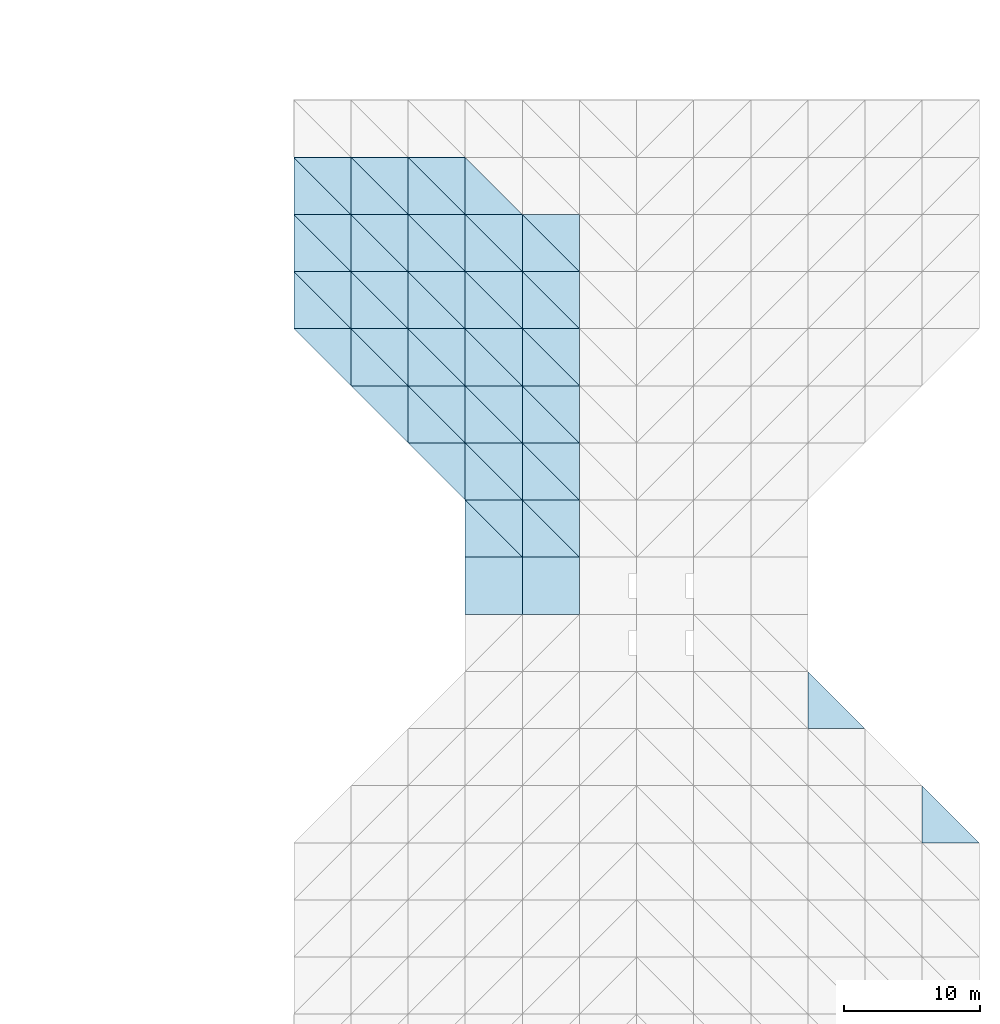
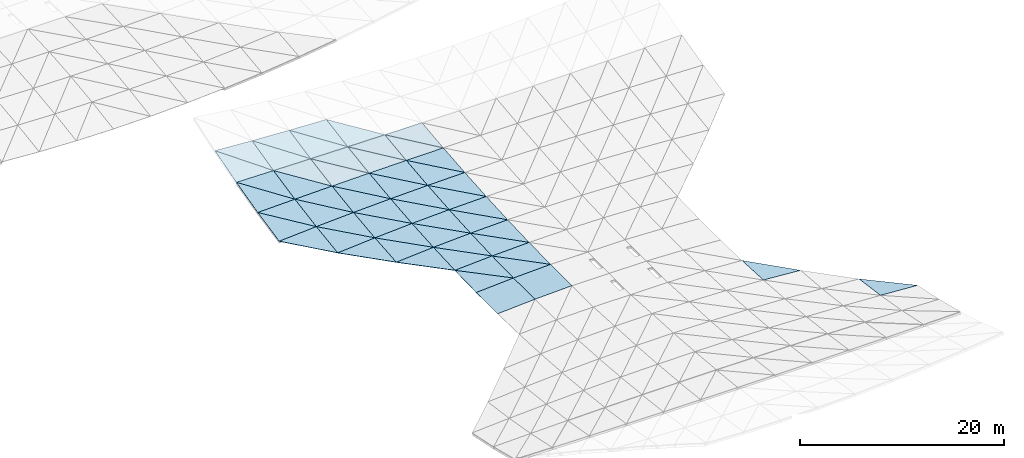
# One storey, part 47 of 64: 56 roofs.
"""IFC4 building model written with IfcOpenShell, lengths in metres."""

from ifc_helpers import new_model, si_unit, direction, frame, origin, place, context, subcontext, project, spatial, polyline, outline, extrude, material, layer, layer_set, type_object, element, save


model = new_model("IFC4")

# Units and contexts
model_context = context("Model", 3, precision=1e-05, world=origin(), true_north=direction((0.0, 1.0)))
body_context = subcontext(model_context, "Body", "Model", "MODEL_VIEW")
ifc_project = project(units=[si_unit("LENGTHUNIT", "METRE"), si_unit("AREAUNIT", "SQUARE_METRE"), si_unit("VOLUMEUNIT", "CUBIC_METRE"), si_unit("PLANEANGLEUNIT", "RADIAN"), si_unit("MASSUNIT", "GRAM", prefix="KILO")], contexts=[model_context])

# Site, building, storey
site_placement = place(None, origin())
site = spatial("IfcSite", under=ifc_project, at=site_placement, CompositionType="ELEMENT")
building_placement = place(site_placement, origin())
building = spatial("IfcBuilding", under=site, at=building_placement, Name="Cumbredor Promenade Congress Hotel", CompositionType="ELEMENT")
storey_placement = place(building_placement, frame((0.0, 0.0, 18.47998046875)))
storey = spatial("IfcBuildingStorey", under=building, at=storey_placement, Name="L05", CompositionType="ELEMENT", Elevation=18.47998046875)

# Roofs
ifc_material = material(Name="Standing-seam zinc-aluminium roofing", Category="aluminium")
ifc_layer = layer(ifc_material, 0.050048828125, Name="Standing-seam zinc-aluminium roofing", Category="aluminium")
ifc_layer_set = layer_set([ifc_layer], Name="Standing-seam zinc-aluminium roofing")
roof_type = type_object("IfcRoofType", Name="Sweeping Pavilion Standing-Seam Roof Skin 50mm", PredefinedType="FREEFORM", material=ifc_layer_set)
roof_1_placement = place(storey_placement, frame((142.800048828125, 50.39990234375, -0.15087890625), z_axis=(-0.064058778521, -0.138106145574, 0.988343647447), x_axis=(0.0, 0.990377757335, 0.138390381808)))
element("IfcRoof", 1, at=roof_1_placement, inside=storey, type_object=roof_type, Name="Grand Ballroom Pavilion Standing-Seam Roof Skin 1.13.2", PredefinedType="FREEFORM", context=body_context, shape_type="SweptSolid", body=[
    extrude(outline(polyline([(0.0, 0.0), (4.241003275158748, 6.938893903907228e-18), (4.203331088704551, 4.208595090645193), (0.0, 0.0)])), origin(), (0.0, 0.0, -1.0), 0.050048828125),
])
roof_2_placement = place(storey_placement, frame((138.60009765625, 54.60009765625, 0.163818359375), z_axis=(-0.063292145756, -0.205940721797, 0.976515500845), x_axis=(0.997906149499, 0.0, 0.064678565174)))
element("IfcRoof", 2, at=roof_2_placement, inside=storey, type_object=roof_type, Name="Grand Ballroom Pavilion Standing-Seam Roof Skin 1.14.1", PredefinedType="FREEFORM", context=body_context, shape_type="SweptSolid", body=[
    extrude(outline(polyline([(0.0, 0.0), (4.208763693845863, -6.938893903907228e-18), (0.05728853380171169, 4.291951431778594), (0.0, 0.0)])), origin(), (0.0, 0.0, -1.0), 0.050048828125),
])
roof_3_placement = place(storey_placement, frame((142.800048828125, 54.60009765625, 0.43603515625), z_axis=(-0.028161900128, -0.172005101393, 0.984693430706), x_axis=(0.0, 0.985084139669, 0.17207334998)))
element("IfcRoof", 3, at=roof_3_placement, inside=storey, type_object=roof_type, Name="Grand Ballroom Pavilion Standing-Seam Roof Skin 1.14.2", PredefinedType="FREEFORM", context=body_context, shape_type="SweptSolid", body=[
    extrude(outline(polyline([(0.0, 0.0), (4.26354562290262, 0.0), (4.24287665605933, 4.201617638324166), (0.0, 0.0)])), origin(), (0.0, 0.0, -1.0), 0.050048828125),
])
roof_4_placement = place(storey_placement, frame((138.60009765625, 58.800048828125, 1.049560546875), z_axis=(-0.027714787529, -0.245264603454, 0.969059938727), x_axis=(0.999591280357, 0.0, 0.028587973606)))
element("IfcRoof", 4, at=roof_4_placement, inside=storey, type_object=roof_type, Name="Grand Ballroom Pavilion Standing-Seam Roof Skin 1.15.1", PredefinedType="FREEFORM", context=body_context, shape_type="SweptSolid", body=[
    extrude(outline(polyline([(0.0, 0.0), (4.2016684763159375, 0.0), (0.030388680927335508, 4.332275436797678), (0.0, 0.0)])), origin(), (0.0, 0.0, -1.0), 0.050048828125),
])
roof_5_placement = place(storey_placement, frame((142.800048828125, 58.800048828125, 1.169677734375), z_axis=(0.014620094207, -0.205079531574, 0.97863611142), x_axis=(0.0, 0.978740718532, 0.205101452671)))
element("IfcRoof", 5, at=roof_5_placement, inside=storey, type_object=roof_type, Name="Grand Ballroom Pavilion Standing-Seam Roof Skin 1.15.2", PredefinedType="FREEFORM", context=body_context, shape_type="SweptSolid", body=[
    extrude(outline(polyline([(0.0, 0.0), (4.291178544380469, 1.734723475976807e-18), (4.304047458769278, 4.20040010765158), (0.0, 0.0)])), origin(), (0.0, 0.0, -1.0), 0.050048828125),
])
roof_6_placement = place(storey_placement, frame((138.60009765625, 63.0, 2.112548828125), z_axis=(0.014326151444, -0.283178402091, 0.958960246295), x_axis=(0.999888428009, 0.0, -0.014937587979)))
element("IfcRoof", 6, at=roof_6_placement, inside=storey, type_object=roof_type, Name="Grand Ballroom Pavilion Standing-Seam Roof Skin 1.16.1", PredefinedType="FREEFORM", context=body_context, shape_type="SweptSolid", body=[
    extrude(outline(polyline([(0.0, 0.0), (4.20041982107943, -3.469446951953614e-18), (-0.018526110090815, 4.379204029765082), (0.0, 0.0)])), origin(), (0.0, 0.0, -1.0), 0.050048828125),
])
roof_7_placement = place(storey_placement, frame((142.800048828125, 63.0, 2.0498046875), z_axis=(0.063676478937, -0.237068094593, 0.969403953239), x_axis=(0.0, 0.97137526826, 0.237550180409)))
element("IfcRoof", 7, at=roof_7_placement, inside=storey, type_object=roof_type, Name="Grand Ballroom Pavilion Standing-Seam Roof Skin 1.16.2", PredefinedType="FREEFORM", context=body_context, shape_type="SweptSolid", body=[
    extrude(outline(polyline([(0.0, 0.0), (4.323716393765029, 0.0), (4.389251477715676, 4.208491911578239), (0.0, 0.0)])), origin(), (0.0, 0.0, -1.0), 0.050048828125),
])
roof_8_placement = place(storey_placement, frame((147.0, 46.199951171875, -0.19384765625), z_axis=(-0.076276964271, -0.086439527263, 0.993332790583), x_axis=(0.0, 0.996235153728, 0.08669209005)))
element("IfcRoof", 8, at=roof_8_placement, inside=storey, type_object=roof_type, Name="Grand Ballroom Pavilion Standing-Seam Roof Skin 2.12.2", PredefinedType="FREEFORM", context=body_context, shape_type="SweptSolid", body=[
    extrude(outline(polyline([(0.0, 0.0), (4.215823097749435, 6.938893903907228e-18), (4.187864052105865, 4.212222772696665), (0.0, 0.0)])), origin(), (0.0, 0.0, -1.0), 0.050048828125),
])
roof_9_placement = place(storey_placement, frame((142.800048828125, 50.39990234375, -0.15087890625), z_axis=(-0.075831077884, -0.137991911416, 0.987526141432), x_axis=(0.997064704654, 0.0, 0.076563533968)))
element("IfcRoof", 9, at=roof_9_placement, inside=storey, type_object=roof_type, Name="Grand Ballroom Pavilion Standing-Seam Roof Skin 2.13.1", PredefinedType="FREEFORM", context=body_context, shape_type="SweptSolid", body=[
    extrude(outline(polyline([(0.0, 0.0), (4.212315562141288, 6.938893903907228e-18), (0.04493621476038471, 4.240765204124161), (0.0, 0.0)])), origin(), (0.0, 0.0, -1.0), 0.050048828125),
])
roof_10_placement = place(storey_placement, frame((147.0, 50.39990234375, 0.171630859375), z_axis=(-0.052645408579, -0.115086667719, 0.991959434588), x_axis=(0.0, 0.99333692573, 0.115246483594)))
element("IfcRoof", 10, at=roof_10_placement, inside=storey, type_object=roof_type, Name="Grand Ballroom Pavilion Standing-Seam Roof Skin 2.13.2", PredefinedType="FREEFORM", context=body_context, shape_type="SweptSolid", body=[
    extrude(outline(polyline([(0.0, 0.0), (4.2283692508585915, -3.469446951953614e-18), (4.2026807646472495, 4.205783462323178), (0.0, 0.0)])), origin(), (0.0, 0.0, -1.0), 0.050048828125),
])
roof_11_placement = place(storey_placement, frame((142.800048828125, 54.60009765625, 0.43603515625), z_axis=(-0.052209220159, -0.17183867095, 0.983740651034), x_axis=(0.99859464216, 0.0, 0.052997553234)))
element("IfcRoof", 11, at=roof_11_placement, inside=storey, type_object=roof_type, Name="Grand Ballroom Pavilion Standing-Seam Roof Skin 2.14.1", PredefinedType="FREEFORM", context=body_context, shape_type="SweptSolid", body=[
    extrude(outline(polyline([(0.0, 0.0), (4.205861912887175, 0.0), (0.03888126158924167, 4.263368331034665), (0.0, 0.0)])), origin(), (0.0, 0.0, -1.0), 0.050048828125),
])
roof_12_placement = place(storey_placement, frame((147.0, 54.60009765625, 0.658935546875), z_axis=(-0.023120069261, -0.143436449594, 0.989389431582), x_axis=(0.0, 0.989653970568, 0.143474801058)))
element("IfcRoof", 12, at=roof_12_placement, inside=storey, type_object=roof_type, Name="Grand Ballroom Pavilion Standing-Seam Roof Skin 2.14.2", PredefinedType="FREEFORM", context=body_context, shape_type="SweptSolid", body=[
    extrude(outline(polyline([(0.0, 0.0), (4.243858254278096, 0.0), (4.229776987182092, 4.2010741380110685), (0.0, 0.0)])), origin(), (0.0, 0.0, -1.0), 0.050048828125),
])
roof_13_placement = place(storey_placement, frame((142.800048828125, 58.800048828125, 1.169677734375), z_axis=(-0.022865250405, -0.205047830124, 0.978484832629), x_axis=(0.999727079655, 0.0, 0.023361639599)))
element("IfcRoof", 13, at=roof_13_placement, inside=storey, type_object=roof_type, Name="Grand Ballroom Pavilion Standing-Seam Roof Skin 2.15.1", PredefinedType="FREEFORM", context=body_context, shape_type="SweptSolid", body=[
    extrude(outline(polyline([(0.0, 0.0), (4.2010977369193006, 0.0), (0.020561208680254784, 4.291129284518109), (0.0, 0.0)])), origin(), (0.0, 0.0, -1.0), 0.050048828125),
])
roof_14_placement = place(storey_placement, frame((147.0, 58.800048828125, 1.267822265625), z_axis=(0.01202564229, -0.17139403512, 0.985129163436), x_axis=(0.0, 0.985200403919, 0.17140642963)))
element("IfcRoof", 14, at=roof_14_placement, inside=storey, type_object=roof_type, Name="Grand Ballroom Pavilion Standing-Seam Roof Skin 2.15.2", PredefinedType="FREEFORM", context=body_context, shape_type="SweptSolid", body=[
    extrude(outline(polyline([(0.0, 0.0), (4.263042478636558, -1.734723475976807e-18), (4.271830405936935, 4.2002548950394125), (0.0, 0.0)])), origin(), (0.0, 0.0, -1.0), 0.050048828125),
])
roof_15_placement = place(storey_placement, frame((142.800048828125, 63.0, 2.0498046875), z_axis=(0.011856912562, -0.237533481662, 0.971306984796), x_axis=(0.999925500788, 0.0, -0.012206263743)))
element("IfcRoof", 15, at=roof_15_placement, inside=storey, type_object=roof_type, Name="Grand Ballroom Pavilion Standing-Seam Roof Skin 2.16.1", PredefinedType="FREEFORM", context=body_context, shape_type="SweptSolid", body=[
    extrude(outline(polyline([(0.0, 0.0), (4.200264088241212, 0.0), (-0.012537048722039848, 4.32369821751262), (0.0, 0.0)])), origin(), (0.0, 0.0, -1.0), 0.050048828125),
])
roof_16_placement = place(storey_placement, frame((147.0, 63.0, 1.99853515625), z_axis=(0.052564690677, -0.198710459454, 0.978647590605), x_axis=(0.0, 0.980002423353, 0.198985552797)))
element("IfcRoof", 16, at=roof_16_placement, inside=storey, type_object=roof_type, Name="Grand Ballroom Pavilion Standing-Seam Roof Skin 2.16.2", PredefinedType="FREEFORM", context=body_context, shape_type="SweptSolid", body=[
    extrude(outline(polyline([(0.0, 0.0), (4.285653863492281, 0.0), (4.330542205969022, 4.205765554336289), (0.0, 0.0)])), origin(), (0.0, 0.0, -1.0), 0.050048828125),
])
roof_17_placement = place(storey_placement, frame((151.199951171875, 42.0, -0.08984375), z_axis=(-0.073306475585, -0.048639367687, 0.996122669428), x_axis=(0.0, 0.998810006887, 0.048770586862)))
element("IfcRoof", 17, at=roof_17_placement, inside=storey, type_object=roof_type, Name="Grand Ballroom Pavilion Standing-Seam Roof Skin 3.11.2", PredefinedType="FREEFORM", context=body_context, shape_type="SweptSolid", body=[
    extrude(outline(polyline([(0.0, 0.0), (4.204955039413347, 0.0), (4.189880927360823, 4.211281790538558), (0.0, 0.0)])), origin(), (0.0, 0.0, -1.0), 0.050048828125),
])
roof_18_placement = place(storey_placement, frame((147.0, 46.199951171875, -0.19384765625), z_axis=(-0.073118508929, -0.086460037809, 0.9935684906), x_axis=(0.997303071851, 0.0, 0.073393343543)))
element("IfcRoof", 18, at=roof_18_placement, inside=storey, type_object=roof_type, Name="Grand Ballroom Pavilion Standing-Seam Roof Skin 3.12.1", PredefinedType="FREEFORM", context=body_context, shape_type="SweptSolid", body=[
    extrude(outline(polyline([(0.0, 0.0), (4.211308769037935, 0.0), (0.026823690254708158, 4.2157377623802414), (0.0, 0.0)])), origin(), (0.0, 0.0, -1.0), 0.050048828125),
])
roof_19_placement = place(storey_placement, frame((151.199951171875, 46.199951171875, 0.115234375), z_axis=(-0.059434651655, -0.072803107869, 0.995573819296), x_axis=(0.0, 0.997336912956, 0.072932037232)))
element("IfcRoof", 19, at=roof_19_placement, inside=storey, type_object=roof_type, Name="Grand Ballroom Pavilion Standing-Seam Roof Skin 3.12.2", PredefinedType="FREEFORM", context=body_context, shape_type="SweptSolid", body=[
    extrude(outline(polyline([(0.0, 0.0), (4.21116587315063, 0.0), (4.192879446823218, 4.207389000333301), (0.0, 0.0)])), origin(), (0.0, 0.0, -1.0), 0.050048828125),
])
roof_20_placement = place(storey_placement, frame((147.0, 50.39990234375, 0.171630859375), z_axis=(-0.059197116005, -0.115044377337, 0.991594923696), x_axis=(0.998222770352, 0.0, 0.059592791092)))
element("IfcRoof", 20, at=roof_20_placement, inside=storey, type_object=roof_type, Name="Grand Ballroom Pavilion Standing-Seam Roof Skin 3.13.1", PredefinedType="FREEFORM", context=body_context, shape_type="SweptSolid", body=[
    extrude(outline(polyline([(0.0, 0.0), (4.207428738970333, -3.469446951953614e-18), (0.02903984644023143, 4.228269528888286), (0.0, 0.0)])), origin(), (0.0, 0.0, -1.0), 0.050048828125),
])
roof_21_placement = place(storey_placement, frame((151.199951171875, 50.39990234375, 0.42236328125), z_axis=(-0.04098462774, -0.096993241033, 0.994440833576), x_axis=(0.0, 0.99527708812, 0.097074805503)))
element("IfcRoof", 21, at=roof_21_placement, inside=storey, type_object=roof_type, Name="Grand Ballroom Pavilion Standing-Seam Roof Skin 3.13.2", PredefinedType="FREEFORM", context=body_context, shape_type="SweptSolid", body=[
    extrude(outline(polyline([(0.0, 0.0), (4.220126598547338, -3.469446951953614e-18), (4.203323366833157, 4.203483034339318), (0.0, 0.0)])), origin(), (0.0, 0.0, -1.0), 0.050048828125),
])
roof_22_placement = place(storey_placement, frame((147.0, 54.60009765625, 0.658935546875), z_axis=(-0.040753458414, -0.143355606889, 0.988831798437), x_axis=(0.999151794145, 0.0, 0.041178784052)))
element("IfcRoof", 22, at=roof_22_placement, inside=storey, type_object=roof_type, Name="Grand Ballroom Pavilion Standing-Seam Roof Skin 3.14.1", PredefinedType="FREEFORM", context=body_context, shape_type="SweptSolid", body=[
    extrude(outline(polyline([(0.0, 0.0), (4.203516619281352, 0.0), (0.025073214703626938, 4.243784185878065), (0.0, 0.0)])), origin(), (0.0, 0.0, -1.0), 0.050048828125),
])
roof_23_placement = place(storey_placement, frame((151.199951171875, 54.60009765625, 0.83203125), z_axis=(-0.018057742267, -0.12103879641, 0.992483515081), x_axis=(0.0, 0.992645370198, 0.121058535527)))
element("IfcRoof", 23, at=roof_23_placement, inside=storey, type_object=roof_type, Name="Grand Ballroom Pavilion Standing-Seam Roof Skin 3.14.2", PredefinedType="FREEFORM", context=body_context, shape_type="SweptSolid", body=[
    extrude(outline(polyline([(0.0, 0.0), (4.23106911891027, 0.0), (4.221818307967877, 4.200636103743705), (0.0, 0.0)])), origin(), (0.0, 0.0, -1.0), 0.050048828125),
])
roof_24_placement = place(storey_placement, frame((147.0, 58.800048828125, 1.267822265625), z_axis=(-0.017922350575, -0.171378898634, 0.985042162779), x_axis=(0.999834521151, 0.0, 0.018191490154)))
element("IfcRoof", 24, at=roof_24_placement, inside=storey, type_object=roof_type, Name="Grand Ballroom Pavilion Standing-Seam Roof Skin 3.15.1", PredefinedType="FREEFORM", context=body_context, shape_type="SweptSolid", body=[
    extrude(outline(polyline([(0.0, 0.0), (4.2006462899866, -1.734723475976807e-18), (0.013292756355252906, 4.26302175425932), (0.0, 0.0)])), origin(), (0.0, 0.0, -1.0), 0.050048828125),
])
roof_25_placement = place(storey_placement, frame((151.199951171875, 58.800048828125, 1.34423828125), z_axis=(0.009374862164, -0.144763975869, 0.989421802494), x_axis=(0.0, 0.989465284532, 0.1447703378)))
element("IfcRoof", 25, at=roof_25_placement, inside=storey, type_object=roof_type, Name="Grand Ballroom Pavilion Standing-Seam Roof Skin 3.15.2", PredefinedType="FREEFORM", context=body_context, shape_type="SweptSolid", body=[
    extrude(outline(polyline([(0.0, 0.0), (4.2446675366309465, -8.673617379884035e-19), (4.2504286609134985, 4.200135746781075), (0.0, 0.0)])), origin(), (0.0, 0.0, -1.0), 0.050048828125),
])
roof_26_placement = place(storey_placement, frame((147.0, 63.0, 1.99853515625), z_axis=(0.009285212395, -0.198976974826, 0.979960176905), x_axis=(0.999955114342, 0.0, -0.009474666258)))
element("IfcRoof", 26, at=roof_26_placement, inside=storey, type_object=roof_type, Name="Grand Ballroom Pavilion Standing-Seam Roof Skin 3.16.1", PredefinedType="FREEFORM", context=body_context, shape_type="SweptSolid", body=[
    extrude(outline(polyline([(0.0, 0.0), (4.200139697907823, 0.0), (-0.008079836240107937, 4.285646246940203), (0.0, 0.0)])), origin(), (0.0, 0.0, -1.0), 0.050048828125),
])
roof_27_placement = place(storey_placement, frame((151.199951171875, 63.0, 1.958740234375), z_axis=(0.041221559117, -0.168092357731, 0.984909002059), x_axis=(0.0, 0.985746857011, 0.168235352682)))
element("IfcRoof", 27, at=roof_27_placement, inside=storey, type_object=roof_type, Name="Grand Ballroom Pavilion Standing-Seam Roof Skin 3.16.2", PredefinedType="FREEFORM", context=body_context, shape_type="SweptSolid", body=[
    extrude(outline(polyline([(0.0, 0.0), (4.260679242344342, 0.0), (4.290251862932946, 4.203524039909523), (0.0, 0.0)])), origin(), (0.0, 0.0, -1.0), 0.050048828125),
])
roof_28_placement = place(storey_placement, frame((151.199951171875, 33.60009765625, -0.192138671875), z_axis=(-0.062309659554, 0.0, 0.998056865277), x_axis=(0.998056865277, 0.0, 0.062309659554)))
element("IfcRoof", 28, at=roof_28_placement, inside=storey, type_object=roof_type, Name="Grand Ballroom Pavilion Standing-Seam Roof Skin 4.9", PredefinedType="FREEFORM", context=body_context, shape_type="SweptSolid", body=[
    extrude(outline(polyline([(0.0, 0.0), (4.208128131767274, 0.0), (4.208128131767274, 4.199951171875), (0.0, 4.199951171875), (0.0, 0.0)])), origin(), (0.0, 0.0, -1.0), 0.050048828125),
])
roof_29_placement = place(storey_placement, frame((151.199951171875, 37.800048828125, -0.192138671875), z_axis=(-0.062291257631, -0.024301710379, 0.99776210897), x_axis=(0.998056865277, 0.0, 0.062309659554)))
element("IfcRoof", 29, at=roof_29_placement, inside=storey, type_object=roof_type, Name="Grand Ballroom Pavilion Standing-Seam Roof Skin 4.10.1", PredefinedType="FREEFORM", context=body_context, shape_type="SweptSolid", body=[
    extrude(outline(polyline([(0.0, 0.0), (4.208128131767274, 0.0), (0.006373961756133575, 4.201191910611455), (0.0, 0.0)])), origin(), (0.0, 0.0, -1.0), 0.050048828125),
])
roof_30_placement = place(storey_placement, frame((155.39990234375, 37.800048828125, 0.070068359375), z_axis=(-0.059001544964, -0.021001533212, 0.998036949864), x_axis=(0.0, 0.999778672914, 0.021038184014)))
element("IfcRoof", 30, at=roof_30_placement, inside=storey, type_object=roof_type, Name="Grand Ballroom Pavilion Standing-Seam Roof Skin 4.10.2", PredefinedType="FREEFORM", context=body_context, shape_type="SweptSolid", body=[
    extrude(outline(polyline([(0.0, 0.0), (4.200880940612829, 0.0), (4.195657348537059, 4.207280711892197), (0.0, 0.0)])), origin(), (0.0, 0.0, -1.0), 0.050048828125),
])
roof_31_placement = place(storey_placement, frame((151.199951171875, 42.0, -0.08984375), z_axis=(-0.058944578235, -0.048685787332, 0.997073332714), x_axis=(0.998257121983, 0.0, 0.05901456101)))
element("IfcRoof", 31, at=roof_31_placement, inside=storey, type_object=roof_type, Name="Grand Ballroom Pavilion Standing-Seam Roof Skin 4.11.1", PredefinedType="FREEFORM", context=body_context, shape_type="SweptSolid", body=[
    extrude(outline(polyline([(0.0, 0.0), (4.20728395459283, 0.0), (0.012102595519642914, 4.204937622684717), (0.0, 0.0)])), origin(), (0.0, 0.0, -1.0), 0.050048828125),
])
roof_32_placement = place(storey_placement, frame((155.39990234375, 42.0, 0.158447265625), z_axis=(-0.052372191237, -0.042106545778, 0.997739541357), x_axis=(0.0, 0.999110685794, 0.042164410736)))
element("IfcRoof", 32, at=roof_32_placement, inside=storey, type_object=roof_type, Name="Grand Ballroom Pavilion Standing-Seam Roof Skin 4.11.2", PredefinedType="FREEFORM", context=body_context, shape_type="SweptSolid", body=[
    extrude(outline(polyline([(0.0, 0.0), (4.203689572730581, 0.0), (4.194394049563018, 4.20572295844304), (0.0, 0.0)])), origin(), (0.0, 0.0, -1.0), 0.050048828125),
])
roof_33_placement = place(storey_placement, frame((151.199951171875, 46.199951171875, 0.115234375), z_axis=(-0.052279466529, -0.072832302208, 0.995973048398), x_axis=(0.998625195951, 0.0, 0.052418679994)))
element("IfcRoof", 33, at=roof_33_placement, inside=storey, type_object=roof_type, Name="Grand Ballroom Pavilion Standing-Seam Roof Skin 4.12.1", PredefinedType="FREEFORM", context=body_context, shape_type="SweptSolid", body=[
    extrude(outline(polyline([(0.0, 0.0), (4.2057332309510365, 0.0), (0.01609929185374617, 4.211135099232784), (0.0, 0.0)])), origin(), (0.0, 0.0, -1.0), 0.050048828125),
])
roof_34_placement = place(storey_placement, frame((155.39990234375, 46.199951171875, 0.335693359375), z_axis=(-0.042485490965, -0.063061683724, 0.997104912787), x_axis=(0.0, 0.998006028498, 0.063118674592)))
element("IfcRoof", 34, at=roof_34_placement, inside=storey, type_object=roof_type, Name="Grand Ballroom Pavilion Standing-Seam Roof Skin 4.12.2", PredefinedType="FREEFORM", context=body_context, shape_type="SweptSolid", body=[
    extrude(outline(polyline([(0.0, 0.0), (4.208342486865724, -1.734723475976807e-18), (4.1970470795229735, 4.203746802543402), (0.0, 0.0)])), origin(), (0.0, 0.0, -1.0), 0.050048828125),
])
roof_35_placement = place(storey_placement, frame((151.199951171875, 50.39990234375, 0.42236328125), z_axis=(-0.042369527784, -0.096987633139, 0.994383337619), x_axis=(0.999093477233, 0.0, 0.042570221404)))
element("IfcRoof", 35, at=roof_35_placement, inside=storey, type_object=roof_type, Name="Grand Ballroom Pavilion Standing-Seam Roof Skin 4.13.1", PredefinedType="FREEFORM", context=body_context, shape_type="SweptSolid", body=[
    extrude(outline(polyline([(0.0, 0.0), (4.203761977814741, 0.0), (0.017439656131786142, 4.220090563739211), (0.0, 0.0)])), origin(), (0.0, 0.0, -1.0), 0.050048828125),
])
roof_36_placement = place(storey_placement, frame((155.39990234375, 50.39990234375, 0.601318359375), z_axis=(-0.029354539952, -0.08406373672, 0.99602791083), x_axis=(0.0, 0.996457321519, 0.084099978543)))
element("IfcRoof", 36, at=roof_36_placement, inside=storey, type_object=roof_type, Name="Grand Ballroom Pavilion Standing-Seam Roof Skin 4.13.2", PredefinedType="FREEFORM", context=body_context, shape_type="SweptSolid", body=[
    extrude(outline(polyline([(0.0, 0.0), (4.215128156313341, 0.0), (4.204718320102144, 4.2017618680476305), (0.0, 0.0)])), origin(), (0.0, 0.0, -1.0), 0.050048828125),
])
roof_37_placement = place(storey_placement, frame((151.199951171875, 54.60009765625, 0.83203125), z_axis=(-0.029242340256, -0.121006765005, 0.992220866722), x_axis=(0.999565994989, 0.0, 0.029458812966)))
element("IfcRoof", 37, at=roof_37_placement, inside=storey, type_object=roof_type, Name="Grand Ballroom Pavilion Standing-Seam Roof Skin 4.14.1", PredefinedType="FREEFORM", context=body_context, shape_type="SweptSolid", body=[
    extrude(outline(polyline([(0.0, 0.0), (4.201774763176752, 0.0), (0.015089011133624425, 4.231042213301485), (0.0, 0.0)])), origin(), (0.0, 0.0, -1.0), 0.050048828125),
])
roof_38_placement = place(storey_placement, frame((155.39990234375, 54.60009765625, 0.955810546875), z_axis=(-0.012890312655, -0.104856624021, 0.994403805422), x_axis=(0.0, 0.994486430867, 0.104865336604)))
element("IfcRoof", 38, at=roof_38_placement, inside=storey, type_object=roof_type, Name="Grand Ballroom Pavilion Standing-Seam Roof Skin 4.14.2", PredefinedType="FREEFORM", context=body_context, shape_type="SweptSolid", body=[
    extrude(outline(polyline([(0.0, 0.0), (4.2232362770526475, 0.0), (4.217527055845953, 4.200300147645098), (0.0, 0.0)])), origin(), (0.0, 0.0, -1.0), 0.050048828125),
])
roof_39_placement = place(storey_placement, frame((151.199951171875, 58.800048828125, 1.34423828125), z_axis=(-0.012825240402, -0.144758430906, 0.9893839042), x_axis=(0.999915992778, 0.0, 0.012961766342)))
element("IfcRoof", 39, at=roof_39_placement, inside=storey, type_object=roof_type, Name="Grand Ballroom Pavilion Standing-Seam Roof Skin 4.15.1", PredefinedType="FREEFORM", context=body_context, shape_type="SweptSolid", body=[
    extrude(outline(polyline([(0.0, 0.0), (4.20030402774778, 0.0), (0.00796503073339736, 4.244660063516752), (0.0, 0.0)])), origin(), (0.0, 0.0, -1.0), 0.050048828125),
])
roof_40_placement = place(storey_placement, frame((155.39990234375, 58.800048828125, 1.398681640625), z_axis=(0.006747173413, -0.125543559999, 0.992065164288), x_axis=(0.0, 0.992087746619, 0.125546417741)))
element("IfcRoof", 40, at=roof_40_placement, inside=storey, type_object=roof_type, Name="Grand Ballroom Pavilion Standing-Seam Roof Skin 4.15.2", PredefinedType="FREEFORM", context=body_context, shape_type="SweptSolid", body=[
    extrude(outline(polyline([(0.0, 0.0), (4.23344727942287, 8.673617379884035e-19), (4.237033444187431, 4.20004677516082), (0.0, 0.0)])), origin(), (0.0, 0.0, -1.0), 0.050048828125),
])
roof_41_placement = place(storey_placement, frame((151.199951171875, 63.0, 1.958740234375), z_axis=(0.006704051065, -0.168231572029, 0.985724704911), x_axis=(0.999976873054, 0.0, -0.006800982047)))
element("IfcRoof", 41, at=roof_41_placement, inside=storey, type_object=roof_type, Name="Grand Ballroom Pavilion Standing-Seam Roof Skin 4.16.1", PredefinedType="FREEFORM", context=body_context, shape_type="SweptSolid", body=[
    extrude(outline(polyline([(0.0, 0.0), (4.200048306164646, -8.673617379884035e-19), (-0.004874922677920587, 4.260676453483982), (0.0, 0.0)])), origin(), (0.0, 0.0, -1.0), 0.050048828125),
])
roof_42_placement = place(storey_placement, frame((155.39990234375, 33.60009765625, 0.070068359375), z_axis=(-0.037406956173, 0.0, 0.999300114895), x_axis=(0.999300114895, 0.0, 0.037406956173)))
element("IfcRoof", 42, at=roof_42_placement, inside=storey, type_object=roof_type, Name="Grand Ballroom Pavilion Standing-Seam Roof Skin 5.9", PredefinedType="FREEFORM", context=body_context, shape_type="SweptSolid", body=[
    extrude(outline(polyline([(0.0, 0.0), (4.203137025496853, 0.0), (4.203137025496853, 4.199951171875), (0.0, 4.199951171875), (0.0, 0.0)])), origin(), (0.0, 0.0, -1.0), 0.050048828125),
])
roof_43_placement = place(storey_placement, frame((155.39990234375, 37.800048828125, 0.070068359375), z_axis=(-0.037398688581, -0.021023466213, 0.999079252092), x_axis=(0.999300114895, 0.0, 0.037406956173)))
element("IfcRoof", 43, at=roof_43_placement, inside=storey, type_object=roof_type, Name="Grand Ballroom Pavilion Standing-Seam Roof Skin 5.10.1", PredefinedType="FREEFORM", context=body_context, shape_type="SweptSolid", body=[
    extrude(outline(polyline([(0.0, 0.0), (4.203137025496853, 0.0), (0.003305985872672013, 4.200879639749459), (0.0, 0.0)])), origin(), (0.0, 0.0, -1.0), 0.050048828125),
])
roof_44_placement = place(storey_placement, frame((159.60009765625, 37.800048828125, 0.227294921875), z_axis=(-0.035486139133, -0.019109031803, 0.999187459305), x_axis=(0.0, 0.999817175536, 0.019121074856)))
element("IfcRoof", 44, at=roof_44_placement, inside=storey, type_object=roof_type, Name="Grand Ballroom Pavilion Standing-Seam Roof Skin 5.10.2", PredefinedType="FREEFORM", context=body_context, shape_type="SweptSolid", body=[
    extrude(outline(polyline([(0.0, 0.0), (4.200719166105885, 4.336808689942018e-19), (4.197866876863419, 4.202842394521265), (0.0, 0.0)])), origin(), (0.0, 0.0, -1.0), 0.050048828125),
])
roof_45_placement = place(storey_placement, frame((155.39990234375, 42.0, 0.158447265625), z_axis=(-0.035461095498, -0.042137891749, 0.99848230269), x_axis=(0.999369938478, 0.0, 0.03549261988)))
element("IfcRoof", 45, at=roof_45_placement, inside=storey, type_object=roof_type, Name="Grand Ballroom Pavilion Standing-Seam Roof Skin 5.11.1", PredefinedType="FREEFORM", context=body_context, shape_type="SweptSolid", body=[
    extrude(outline(polyline([(0.0, 0.0), (4.202843362384467, 0.0), (0.0062909282306290665, 4.203684865460994), (0.0, 0.0)])), origin(), (0.0, 0.0, -1.0), 0.050048828125),
])
roof_46_placement = place(storey_placement, frame((159.60009765625, 42.0, 0.3076171875), z_axis=(-0.031465762462, -0.038144294552, 0.998776711075), x_axis=(0.0, 0.999271520054, 0.038163191808)))
element("IfcRoof", 46, at=roof_46_placement, inside=storey, type_object=roof_type, Name="Grand Ballroom Pavilion Standing-Seam Roof Skin 5.11.2", PredefinedType="FREEFORM", context=body_context, shape_type="SweptSolid", body=[
    extrude(outline(polyline([(0.0, 0.0), (4.203012982545598, 0.0), (4.1979630680045785, 4.202276152322441), (0.0, 0.0)])), origin(), (0.0, 0.0, -1.0), 0.050048828125),
])
roof_47_placement = place(storey_placement, frame((155.39990234375, 46.199951171875, 0.335693359375), z_axis=(-0.031425953156, -0.06308749919, 0.997513096112), x_axis=(0.999504108605, 0.0, 0.031488678613)))
element("IfcRoof", 47, at=roof_47_placement, inside=storey, type_object=roof_type, Name="Grand Ballroom Pavilion Standing-Seam Roof Skin 5.12.1", PredefinedType="FREEFORM", context=body_context, shape_type="SweptSolid", body=[
    extrude(outline(polyline([(0.0, 0.0), (4.202279186586105, 0.0), (0.008364180256672378, 4.208334174854443), (0.0, 0.0)])), origin(), (0.0, 0.0, -1.0), 0.050048828125),
])
roof_48_placement = place(storey_placement, frame((159.60009765625, 46.199951171875, 0.468017578125), z_axis=(-0.025583111763, -0.057260768952, 0.998031416706), x_axis=(0.0, 0.998358180703, 0.057279516617)))
element("IfcRoof", 48, at=roof_48_placement, inside=storey, type_object=roof_type, Name="Grand Ballroom Pavilion Standing-Seam Roof Skin 5.12.2", PredefinedType="FREEFORM", context=body_context, shape_type="SweptSolid", body=[
    extrude(outline(polyline([(0.0, 0.0), (4.206858072639293, 0.0), (4.200691015308268, 4.201570492264935), (0.0, 0.0)])), origin(), (0.0, 0.0, -1.0), 0.050048828125),
])
roof_49_placement = place(storey_placement, frame((155.39990234375, 50.39990234375, 0.601318359375), z_axis=(-0.025534433687, -0.084072557172, 0.996132419825), x_axis=(0.999671621772, 0.0, 0.02562515608)))
element("IfcRoof", 49, at=roof_49_placement, inside=storey, type_object=roof_type, Name="Grand Ballroom Pavilion Standing-Seam Roof Skin 5.13.1", PredefinedType="FREEFORM", context=body_context, shape_type="SweptSolid", body=[
    extrude(outline(polyline([(0.0, 0.0), (4.2015750182601215, 0.0), (0.009083917633849687, 4.2151183680397315), (0.0, 0.0)])), origin(), (0.0, 0.0, -1.0), 0.050048828125),
])
roof_50_placement = place(storey_placement, frame((159.60009765625, 50.39990234375, 0.708984375), z_axis=(-0.0176161816, -0.076201575015, 0.996936803469), x_axis=(0.0, 0.997091529108, 0.07621340158)))
element("IfcRoof", 50, at=roof_50_placement, inside=storey, type_object=roof_type, Name="Grand Ballroom Pavilion Standing-Seam Roof Skin 5.13.2", PredefinedType="FREEFORM", context=body_context, shape_type="SweptSolid", body=[
    extrude(outline(polyline([(0.0, 0.0), (4.212447092250382, 8.673617379884035e-19), (4.206790628851887, 4.200847187225497), (0.0, 0.0)])), origin(), (0.0, 0.0, -1.0), 0.050048828125),
])
roof_51_placement = place(storey_placement, frame((155.39990234375, 54.60009765625, 0.955810546875), z_axis=(-0.017570170079, -0.104849148819, 0.994332914629), x_axis=(0.999843916636, 0.0, 0.017667551189)))
element("IfcRoof", 51, at=roof_51_placement, inside=storey, type_object=roof_type, Name="Grand Ballroom Pavilion Standing-Seam Roof Skin 5.14.1", PredefinedType="FREEFORM", context=body_context, shape_type="SweptSolid", body=[
    extrude(outline(polyline([(0.0, 0.0), (4.200850995453009, 0.0), (0.007824447719006342, 4.223229028815676), (0.0, 0.0)])), origin(), (0.0, 0.0, -1.0), 0.050048828125),
])
roof_52_placement = place(storey_placement, frame((159.60009765625, 54.60009765625, 1.030029296875), z_axis=(-0.007753328567, -0.095128456032, 0.995434810899), x_axis=(0.0, 0.995464732084, 0.095131315442)))
element("IfcRoof", 52, at=roof_52_placement, inside=storey, type_object=roof_type, Name="Grand Ballroom Pavilion Standing-Seam Roof Skin 5.14.2", PredefinedType="FREEFORM", context=body_context, shape_type="SweptSolid", body=[
    extrude(outline(polyline([(0.0, 0.0), (4.219085856596882, 0.0), (4.215973650476471, 4.200321563680764), (0.0, 0.0)])), origin(), (0.0, 0.0, -1.0), 0.050048828125),
])
roof_53_placement = place(storey_placement, frame((155.39990234375, 58.800048828125, 1.398681640625), z_axis=(-0.007727027974, -0.125542669687, 0.992058128905), x_axis=(0.999969668005, 0.0, 0.007788650053)))
element("IfcRoof", 53, at=roof_53_placement, inside=storey, type_object=roof_type, Name="Grand Ballroom Pavilion Standing-Seam Roof Skin 5.15.1", PredefinedType="FREEFORM", context=body_context, shape_type="SweptSolid", body=[
    extrude(outline(polyline([(0.0, 0.0), (4.200322716666966, -8.673617379884035e-19), (0.004139621866575267, 4.233445255484438), (0.0, 0.0)])), origin(), (0.0, 0.0, -1.0), 0.050048828125),
])
roof_54_placement = place(storey_placement, frame((159.60009765625, 58.800048828125, 1.431396484375), z_axis=(0.004042289415, -0.113941437474, 0.993479244233), x_axis=(0.0, 0.99348736111, 0.113942368393)))
element("IfcRoof", 54, at=roof_54_placement, inside=storey, type_object=roof_type, Name="Grand Ballroom Pavilion Standing-Seam Roof Skin 5.15.2", PredefinedType="FREEFORM", context=body_context, shape_type="SweptSolid", body=[
    extrude(outline(polyline([(0.0, 0.0), (4.227483243655266, -2.168404344971009e-19), (4.229430500927612, 4.200229628734062), (0.0, 0.0)])), origin(), (0.0, 0.0, -1.0), 0.050048828125),
])
roof_55_placement = place(storey_placement, frame((176.39990234375, 25.199951171875, 0.115234375), z_axis=(0.073302237468, 0.04863938288, 0.996122980568), x_axis=(0.997303384098, 0.0, -0.073389100457)))
element("IfcRoof", 55, at=roof_55_placement, inside=storey, type_object=roof_type, Name="Grand Ballroom Pavilion Standing-Seam Roof Skin 10.7.1", PredefinedType="FREEFORM", context=body_context, shape_type="SweptSolid", body=[
    extrude(outline(polyline([(0.0, 0.0), (4.211552251271328, 0.0), (0.015050499117233385, 4.204928104731878), (0.0, 0.0)])), origin(), (0.0, 0.0, -1.0), 0.050048828125),
])
roof_56_placement = place(storey_placement, frame((184.800048828125, 16.800048828125, 0.43603515625), z_axis=(0.064058707496, 0.138114020467, 0.988342551621), x_axis=(0.997906149499, 0.0, -0.064678565174)))
element("IfcRoof", 56, at=roof_56_placement, inside=storey, type_object=roof_type, Name="Grand Ballroom Pavilion Standing-Seam Roof Skin 12.5.1", PredefinedType="FREEFORM", context=body_context, shape_type="SweptSolid", body=[
    extrude(outline(polyline([(0.0, 0.0), (4.208763693845863, -6.938893903907228e-18), (0.03796075944303057, 4.240591579442301), (0.0, 0.0)])), origin(), (0.0, 0.0, -1.0), 0.050048828125),
])

save(model, "model.ifc")
